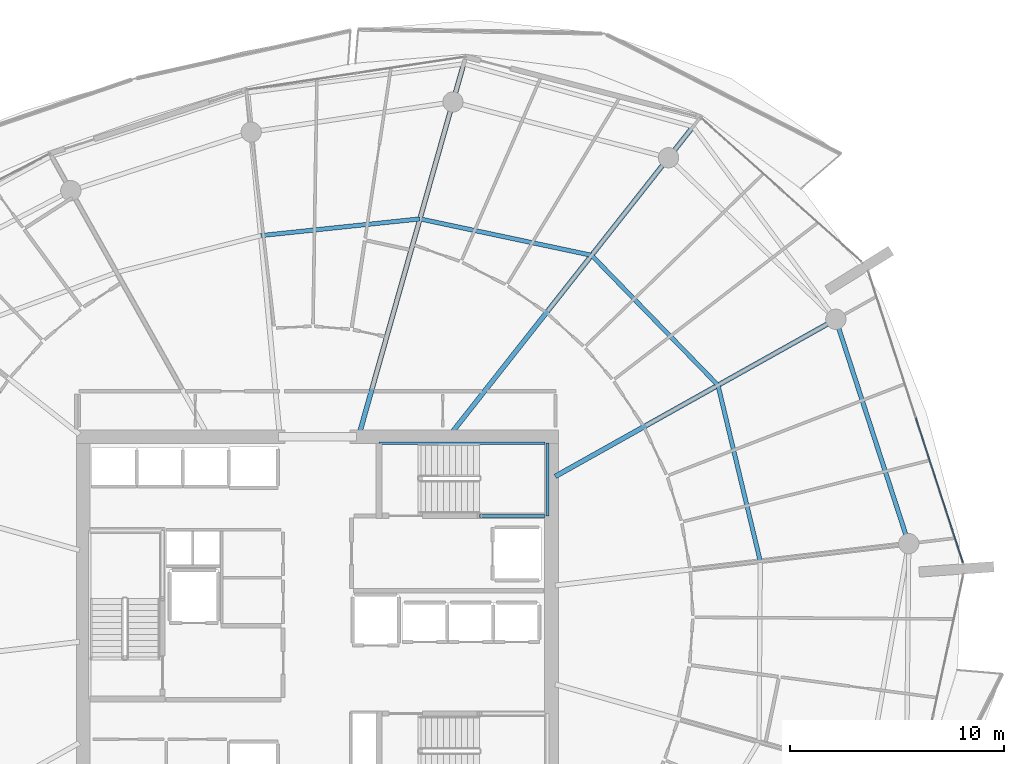
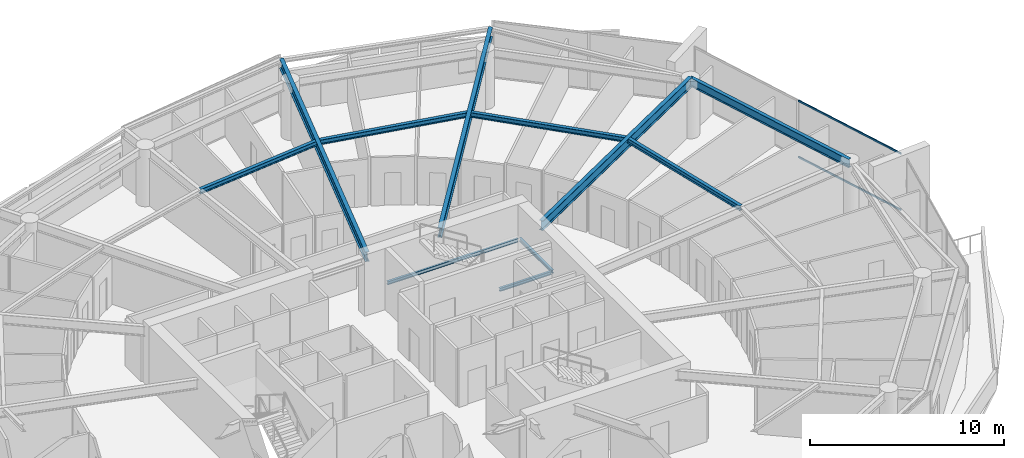
# One storey, part 14 of 30: 11 beams, 2 members, 1 element without a shape of its own.
"""IFC4 building model written with IfcOpenShell, lengths in metres."""

from ifc_helpers import new_model, si_unit, direction, frame, origin, origin_2d, place, context, subcontext, project, spatial, rectangle, i_section, extrude, material, layer, layer_set, material_profile, profile_set, type_object, element, aggregate, save


model = new_model("IFC4")

# Units and contexts
model_context = context("Model", 3, precision=1e-05, world=origin(), true_north=direction((0.0, 1.0)))
body_context = subcontext(model_context, "Body", "Model", "MODEL_VIEW")
ifc_project = project(units=[si_unit("LENGTHUNIT", "METRE"), si_unit("AREAUNIT", "SQUARE_METRE"), si_unit("VOLUMEUNIT", "CUBIC_METRE"), si_unit("PLANEANGLEUNIT", "RADIAN"), si_unit("MASSUNIT", "GRAM", prefix="KILO")], contexts=[model_context])

# Site, building, storey
site_placement = place(None, origin())
site = spatial("IfcSite", under=ifc_project, at=site_placement, CompositionType="ELEMENT")
building_placement = place(site_placement, origin())
building = spatial("IfcBuilding", under=site, at=building_placement, Name="Kazma Halo Residences", CompositionType="ELEMENT")
storey_placement = place(building_placement, frame((0.0, 0.0, 236.699951171875)))
storey = spatial("IfcBuildingStorey", under=building, at=storey_placement, Name="L59", CompositionType="ELEMENT", Elevation=236.699951171875)

# Beams
ifc_material_1 = material(Name="Steel S355", Category="steel")
ifc_material_profile_1 = material_profile(ifc_material_1, i_section(OverallWidth=0.22802734375, OverallDepth=0.60791015625, WebThickness=0.01123046875, FlangeThickness=0.017333984375, FilletRadius=0.01806640625, at=origin_2d()), Name="W610x113")
ifc_profile_set_1 = profile_set([ifc_material_profile_1], Name="Steel S355")
beam_type_1 = type_object("IfcBeamType", Name="BM-RAD-W610", PredefinedType="BEAM", material=ifc_profile_set_1)
beam_1_placement = place(storey_placement, frame((59.550048828125, 48.46826171875, 3.2861328125), z_axis=(0.872498817764, 0.488616222613, 0.0), x_axis=(-0.488616222613, 0.872498817764, 0.0)))
element("IfcBeam", 1, at=beam_1_placement, inside=storey, type_object=beam_type_1, Name="L59 radial floor beam 01", PredefinedType="BEAM", context=body_context, shape_type="SweptSolid", body=[
    extrude(i_section(OverallWidth=0.22802734375, OverallDepth=0.60791015625, WebThickness=0.01123046875, FlangeThickness=0.017333984375, FilletRadius=0.01806640625, at=origin_2d()), origin(), (0.0, 0.0, 1.0), 15.03759765625),
])
beam_2_placement = place(storey_placement, frame((54.700927734375, 50.5, 3.2861328125), z_axis=(0.6190864347, 0.785322854863, 0.0), x_axis=(-0.785322854863, 0.6190864347, 0.0)))
element("IfcBeam", 2, at=beam_2_placement, inside=storey, type_object=beam_type_1, Name="L59 radial floor beam 02", PredefinedType="BEAM", context=body_context, shape_type="SweptSolid", body=[
    extrude(i_section(OverallWidth=0.22802734375, OverallDepth=0.60791015625, WebThickness=0.01123046875, FlangeThickness=0.017333984375, FilletRadius=0.01806640625, at=origin_2d()), origin(), (0.0, 0.0, 1.0), 18.239013671875),
])
beam_3_placement = place(storey_placement, frame((50.397216796875, 50.5, 3.2861328125), z_axis=(0.271445290974, 0.962453871107, 0.0), x_axis=(-0.962453871107, 0.271445290974, 0.0)))
element("IfcBeam", 3, at=beam_3_placement, inside=storey, type_object=beam_type_1, Name="L59 radial floor beam 03", PredefinedType="BEAM", context=body_context, shape_type="SweptSolid", body=[
    extrude(i_section(OverallWidth=0.22802734375, OverallDepth=0.60791015625, WebThickness=0.01123046875, FlangeThickness=0.017333984375, FilletRadius=0.01806640625, at=origin_2d()), origin(), (0.0, 0.0, 1.0), 17.933349609375),
])
ifc_material_profile_2 = material_profile(ifc_material_1, i_section(OverallWidth=0.202880859375, OverallDepth=0.302978515625, WebThickness=0.007568359375, FlangeThickness=0.01318359375, FilletRadius=0.013916015625, at=origin_2d()), Name="W310x60")
ifc_profile_set_2 = profile_set([ifc_material_profile_2], Name="Steel S355")
beam_type_2 = type_object("IfcBeamType", Name="BM-SEC-W310A", PredefinedType="JOIST", material=ifc_profile_set_2)
beam_4_placement = place(storey_placement, frame((67.159912109375, 52.72998046875, 3.4384765625), z_axis=(-0.697145013687, 0.716930142964, 0.0), x_axis=(-0.716930142964, -0.697145013687, 0.0)))
element("IfcBeam", 4, at=beam_4_placement, inside=storey, type_object=beam_type_2, Name="L59 circumferential floor joist 01", PredefinedType="JOIST", context=body_context, shape_type="SweptSolid", body=[
    extrude(i_section(OverallWidth=0.202880859375, OverallDepth=0.302978515625, WebThickness=0.007568359375, FlangeThickness=0.01318359375, FilletRadius=0.013916015625, at=origin_2d()), origin(), (0.0, 0.0, 1.0), 8.477294921875),
])
beam_5_placement = place(storey_placement, frame((61.25, 58.8076171875, 3.4384765625), z_axis=(-0.978235588777, 0.207497308055, 0.0), x_axis=(-0.207497308055, -0.978235588777, 0.0)))
element("IfcBeam", 5, at=beam_5_placement, inside=storey, type_object=beam_type_2, Name="L59 circumferential floor joist 02", PredefinedType="JOIST", context=body_context, shape_type="SweptSolid", body=[
    extrude(i_section(OverallWidth=0.202880859375, OverallDepth=0.302978515625, WebThickness=0.007568359375, FlangeThickness=0.01318359375, FilletRadius=0.013916015625, at=origin_2d()), origin(), (0.0, 0.0, 1.0), 8.2080078125),
])
beam_6_placement = place(storey_placement, frame((53.220703125, 60.5107421875, 3.4384765625), z_axis=(-0.994528326067, -0.104467261141, 0.0), x_axis=(0.104467261141, -0.994528326067, 0.0)))
element("IfcBeam", 6, at=beam_6_placement, inside=storey, type_object=beam_type_2, Name="L59 circumferential floor joist 03", PredefinedType="JOIST", context=body_context, shape_type="SweptSolid", body=[
    extrude(i_section(OverallWidth=0.202880859375, OverallDepth=0.302978515625, WebThickness=0.007568359375, FlangeThickness=0.01318359375, FilletRadius=0.013916015625, at=origin_2d()), origin(), (0.0, 0.0, 1.0), 7.478515625),
])
beam_7_placement = place(storey_placement, frame((69.13720703125, 44.501708984375, 3.4384765625), z_axis=(-0.23365336492, 0.97231996023, 0.0), x_axis=(-0.97231996023, -0.23365336492, 0.0)))
element("IfcBeam", 7, at=beam_7_placement, inside=storey, type_object=beam_type_2, Name="L59 circumferential floor joist 16", PredefinedType="JOIST", context=body_context, shape_type="SweptSolid", body=[
    extrude(i_section(OverallWidth=0.202880859375, OverallDepth=0.302978515625, WebThickness=0.007568359375, FlangeThickness=0.01318359375, FilletRadius=0.013916015625, at=origin_2d()), origin(), (0.0, 0.0, 1.0), 8.46240234375),
])
ifc_material_profile_3 = material_profile(ifc_material_1, i_section(OverallWidth=0.208984375, OverallDepth=0.532958984375, WebThickness=0.01025390625, FlangeThickness=0.015625, FilletRadius=0.01611328125, at=origin_2d()), Name="W530x92")
ifc_profile_set_3 = profile_set([ifc_material_profile_3], Name="Steel S355")
beam_type_3 = type_object("IfcBeamType", Name="BM-SPN-W530", PredefinedType="BEAM", material=ifc_profile_set_3)
beam_8_placement = place(storey_placement, frame((76.07958984375, 45.323486328125, 3.323486328125), z_axis=(-0.309015517474, 0.951056996168, 0.0), x_axis=(-0.951056996168, -0.309015517474, 0.0)))
element("IfcBeam", 8, at=beam_8_placement, inside=storey, type_object=beam_type_3, Name="L59 perimeter ring beam 16", PredefinedType="BEAM", context=body_context, shape_type="SweptSolid", body=[
    extrude(i_section(OverallWidth=0.208984375, OverallDepth=0.532958984375, WebThickness=0.01025390625, FlangeThickness=0.015625, FilletRadius=0.01611328125, at=origin_2d()), origin(), (0.0, 0.0, 1.0), 11.032470703125),
])
ifc_material_profile_4 = material_profile(ifc_material_1, i_section(OverallWidth=0.133056640625, OverallDepth=0.20703125, WebThickness=0.005859375, FlangeThickness=0.00830078125, FilletRadius=0.010009765625, at=origin_2d()), Name="W200x26.6")
ifc_profile_set_4 = profile_set([ifc_material_profile_4], Name="Steel S355")
beam_type_4 = type_object("IfcBeamType", Name="BM-TRIM-W200", PredefinedType="BEAM", material=ifc_profile_set_4)
beam_9_placement = place(storey_placement, frame((51.31005859375, 50.02001953125, 1.6201171875), z_axis=(1.0, 0.0, 0.0), x_axis=(0.0, 1.0, 0.0)))
element("IfcBeam", 9, at=beam_9_placement, inside=storey, type_object=beam_type_4, Name="L59 ST-02 landing north wall ledger", PredefinedType="BEAM", context=body_context, shape_type="SweptSolid", body=[
    extrude(i_section(OverallWidth=0.133056640625, OverallDepth=0.20703125, WebThickness=0.005859375, FlangeThickness=0.00830078125, FilletRadius=0.010009765625, at=origin_2d()), origin(), (0.0, 0.0, 1.0), 7.760009765625),
])
beam_10_placement = place(storey_placement, frame((56.0, 46.6201171875, 1.6201171875), z_axis=(1.0, 0.0, 0.0), x_axis=(0.0, 1.0, 0.0)))
element("IfcBeam", 10, at=beam_10_placement, inside=storey, type_object=beam_type_4, Name="L59 ST-02 landing south wall ledger", PredefinedType="BEAM", context=body_context, shape_type="SweptSolid", body=[
    extrude(i_section(OverallWidth=0.133056640625, OverallDepth=0.20703125, WebThickness=0.005859375, FlangeThickness=0.00830078125, FilletRadius=0.010009765625, at=origin_2d()), origin(), (0.0, 0.0, 1.0), 3.070068359375),
])
beam_11_placement = place(storey_placement, frame((59.18994140625, 46.6201171875, 1.6201171875), z_axis=(0.0, 1.0, 0.0), x_axis=(-1.0, 0.0, 0.0)))
element("IfcBeam", 11, at=beam_11_placement, inside=storey, type_object=beam_type_4, Name="L59 ST-02 landing end wall ledger", PredefinedType="BEAM", context=body_context, shape_type="SweptSolid", body=[
    extrude(i_section(OverallWidth=0.133056640625, OverallDepth=0.20703125, WebThickness=0.005859375, FlangeThickness=0.00830078125, FilletRadius=0.010009765625, at=origin_2d()), origin(), (0.0, 0.0, 1.0), 3.39990234375),
])

# Curtain wall, members
ifc_material_2 = material(Name="Aluminium AW-6063 T6 and Triple-Silver Low-E Glass", Category="aluminium")
ifc_layer = layer(ifc_material_2, 0.139892578125)
ifc_layer_set = layer_set([ifc_layer], Name="Aluminium AW-6063 T6 and Triple-Silver Low-E Glass")
curtain_wall_type = type_object("IfcCurtainWallType", Name="CW-SYS-5", PredefinedType="NOTDEFINED", material=ifc_layer_set)
curtain_wall_placement = place(storey_placement, origin())
curtain_wall = element("IfcCurtainWall", 12, at=curtain_wall_placement, inside=storey, type_object=curtain_wall_type, Name="L59 unitised curtain wall B16", PredefinedType="NOTDEFINED")
ifc_material_3 = material(Name="Aluminium AW-6063 T6", Category="aluminium")
ifc_material_profile_5 = material_profile(ifc_material_3, rectangle(XDim=0.06005859375, YDim=0.10498046875, at=origin_2d()), Name="CWT-60x105")
ifc_profile_set_5 = profile_set([ifc_material_profile_5], Name="Aluminium AW-6063 T6")
member_type = type_object("IfcMemberType", Name="CW-SYS-5-TRN", PredefinedType="USERDEFINED", material=ifc_profile_set_5)
member_1_placement = place(storey_placement, frame((78.613525390625, 44.44091796875, 0.030029296875), z_axis=(-0.308995987448, 0.951063341603, 0.0), x_axis=(-0.951063341603, -0.308995987448, 0.0)))
member_1 = element("IfcMember", 13, at=member_1_placement, type_object=member_type, Name="CWS-5 transom 1.1", ObjectType="TRANSOM", PredefinedType="USERDEFINED", context=body_context, shape_type="SweptSolid", body=[
    extrude(rectangle(XDim=0.06005859375, YDim=0.10498046875, at=origin_2d()), origin(), (0.0, 0.0, 1.0), 7.108642578125),
])
member_2_placement = place(storey_placement, frame((78.613525390625, 44.44091796875, 3.56005859375), z_axis=(-0.308995987448, 0.951063341603, 0.0), x_axis=(-0.951063341603, -0.308995987448, 0.0)))
member_2 = element("IfcMember", 14, at=member_2_placement, type_object=member_type, Name="CWS-5 transom 1.2", ObjectType="TRANSOM", PredefinedType="USERDEFINED", context=body_context, shape_type="SweptSolid", body=[
    extrude(rectangle(XDim=0.06005859375, YDim=0.10498046875, at=origin_2d()), origin(), (0.0, 0.0, 1.0), 7.108642578125),
])
aggregate(curtain_wall, [member_1, member_2])

save(model, "model.ifc")
